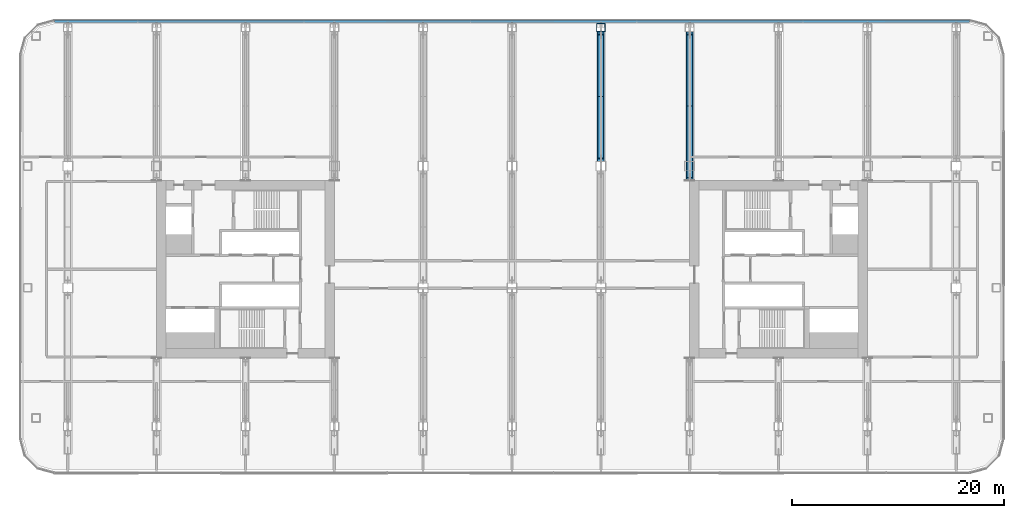
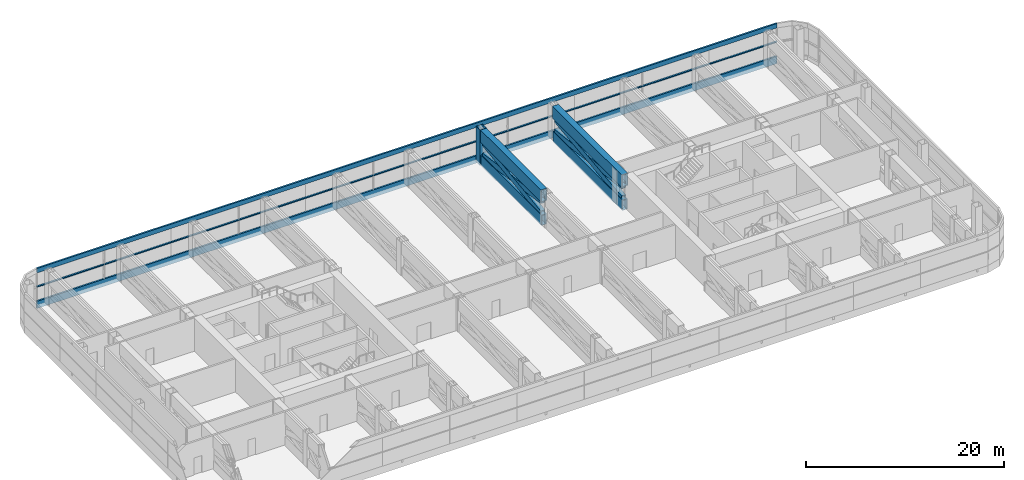
# One storey, part 11 of 31: 12 members, 1 element without a shape of its own.
"""IFC4 building model written with IfcOpenShell, lengths in metres."""

from ifc_helpers import new_model, si_unit, direction, frame, origin, origin_2d, place, context, subcontext, project, spatial, rectangle, hollow_rectangle, extrude, material, layer, layer_set, material_profile, profile_set, type_object, element, aggregate, save


model = new_model("IFC4")

# Units and contexts
model_context = context("Model", 3, precision=1e-05, world=origin(), true_north=direction((0.0, 1.0)))
body_context = subcontext(model_context, "Body", "Model", "MODEL_VIEW")
ifc_project = project(units=[si_unit("LENGTHUNIT", "METRE"), si_unit("AREAUNIT", "SQUARE_METRE"), si_unit("VOLUMEUNIT", "CUBIC_METRE"), si_unit("PLANEANGLEUNIT", "RADIAN"), si_unit("MASSUNIT", "GRAM", prefix="KILO")], contexts=[model_context])

# Site, building, storey
site_placement = place(None, origin())
site = spatial("IfcSite", under=ifc_project, at=site_placement, CompositionType="ELEMENT")
building_placement = place(site_placement, origin())
building = spatial("IfcBuilding", under=site, at=building_placement, Name="Hakoniwa Tower and Hamabe Station Hall", CompositionType="ELEMENT")
storey_placement = place(building_placement, frame((0.0, 0.0, 120.199951171875)))
storey = spatial("IfcBuildingStorey", under=building, at=storey_placement, Name="L34", CompositionType="ELEMENT", Elevation=120.199951171875)

# Curtain wall, members
ifc_material_1 = material(Name="Dark low-e laminated glass", Category="glass")
ifc_layer = layer(ifc_material_1, 0.199951171875)
ifc_layer_set = layer_set([ifc_layer], Name="CW-6 PLANT LOUVRE")
curtain_wall_type = type_object("IfcCurtainWallType", Name="CW-6 PLANT LOUVRE", PredefinedType="NOTDEFINED", material=ifc_layer_set)
curtain_wall_placement = place(storey_placement, origin())
curtain_wall = element("IfcCurtainWall", 1, at=curtain_wall_placement, inside=storey, type_object=curtain_wall_type, Name="CW-6 curtain wall", PredefinedType="NOTDEFINED")
ifc_material_2 = material(Name="Aluminium 6063-T5 black anodised", Category="aluminium")
ifc_material_profile_1 = material_profile(ifc_material_2, rectangle(XDim=0.199951171875, YDim=0.550048828125, at=origin_2d()), Name="CW HEAD BAND 550X200")
ifc_profile_set_1 = profile_set([ifc_material_profile_1], Name="Aluminium 6063-T5 black anodised")
member_type_1 = type_object("IfcMemberType", Name="CW HEAD BAND 550X200", PredefinedType="USERDEFINED", material=ifc_profile_set_1)
member_1_placement = place(storey_placement, frame((43.239501953125, 23.449951171875, 4.125), z_axis=(-1.0, 0.0, 0.0), x_axis=(0.0, -1.0, 0.0)))
member_1 = element("IfcMember", 2, at=member_1_placement, type_object=member_type_1, Name="CW-6 transom", ObjectType="TRANSOM", PredefinedType="USERDEFINED", context=body_context, shape_type="SweptSolid", body=[
    extrude(rectangle(XDim=0.199951171875, YDim=0.550048828125, at=origin_2d()), origin(), (0.0, 0.0, 1.0), 86.47900390625),
])
ifc_material_3 = material(Name="Aluminium 6063-T5 black anodised", Category="aluminium")
ifc_material_profile_2 = material_profile(ifc_material_3, rectangle(XDim=0.199951171875, YDim=0.1201171875, at=origin_2d()), Name="CW MID TRANSOM 120X200")
ifc_profile_set_2 = profile_set([ifc_material_profile_2], Name="Aluminium 6063-T5 black anodised")
member_type_2 = type_object("IfcMemberType", Name="CW MID TRANSOM 120X200", PredefinedType="USERDEFINED", material=ifc_profile_set_2)
member_2_placement = place(storey_placement, frame((43.239501953125, 23.449951171875, 2.10009765625), z_axis=(-1.0, 0.0, 0.0), x_axis=(0.0, -1.0, 0.0)))
member_2 = element("IfcMember", 3, at=member_2_placement, type_object=member_type_2, Name="CW-6 transom", ObjectType="TRANSOM", PredefinedType="USERDEFINED", context=body_context, shape_type="SweptSolid", body=[
    extrude(rectangle(XDim=0.199951171875, YDim=0.1201171875, at=origin_2d()), origin(), (0.0, 0.0, 1.0), 86.47900390625),
])
ifc_material_4 = material(Name="Aluminium 6063-T5 black anodised", Category="aluminium")
ifc_material_profile_3 = material_profile(ifc_material_4, rectangle(XDim=0.199951171875, YDim=0.89990234375, at=origin_2d()), Name="CW SLAB-EDGE BAND 900X200")
ifc_profile_set_3 = profile_set([ifc_material_profile_3], Name="Aluminium 6063-T5 black anodised")
member_type_3 = type_object("IfcMemberType", Name="CW SLAB-EDGE BAND 900X200", PredefinedType="USERDEFINED", material=ifc_profile_set_3)
member_3_placement = place(storey_placement, frame((43.239501953125, 23.449951171875, -0.099853515625), z_axis=(-1.0, 0.0, 0.0), x_axis=(0.0, -1.0, 0.0)))
member_3 = element("IfcMember", 4, at=member_3_placement, type_object=member_type_3, Name="CW-6 transom", ObjectType="TRANSOM", PredefinedType="USERDEFINED", context=body_context, shape_type="SweptSolid", body=[
    extrude(rectangle(XDim=0.199951171875, YDim=0.89990234375, at=origin_2d()), origin(), (0.0, 0.0, 1.0), 86.47900390625),
])
aggregate(curtain_wall, [member_3, member_2, member_1])

# Members
ifc_material_5 = material(Name="Steel SN490C", Category="steel")
ifc_material_profile_4 = material_profile(ifc_material_5, hollow_rectangle(XDim=0.60009765625, YDim=1.300048828125, WallThickness=0.050048828125, at=origin_2d()), Name="BX-1300x600x50")
ifc_profile_set_4 = profile_set([ifc_material_profile_4], Name="Steel SN490C")
member_type_4 = type_object("IfcMemberType", Name="TRUSS CHORD BX-1300x600x50", PredefinedType="CHORD", material=ifc_profile_set_4)
member_4_placement = place(storey_placement, frame((8.39990234375, 10.199951171875, 0.35009765625), z_axis=(0.0, 1.0, 0.0), x_axis=(-1.0, 0.0, 0.0)))
element("IfcMember", 5, at=member_4_placement, inside=storey, type_object=member_type_4, Name="Truss T2-13-BC03", PredefinedType="CHORD", context=body_context, shape_type="SweptSolid", body=[
    extrude(hollow_rectangle(XDim=0.60009765625, YDim=1.300048828125, WallThickness=0.050048828125, at=origin_2d()), origin(), (0.0, 0.0, 1.0), 12.25),
])
member_5_placement = place(storey_placement, frame((16.800048828125, 8.39990234375, 0.35009765625), z_axis=(0.0, 1.0, 0.0), x_axis=(-1.0, 0.0, 0.0)))
element("IfcMember", 6, at=member_5_placement, inside=storey, type_object=member_type_4, Name="Truss T2-15-BC01", PredefinedType="CHORD", context=body_context, shape_type="SweptSolid", body=[
    extrude(hollow_rectangle(XDim=0.60009765625, YDim=1.300048828125, WallThickness=0.050048828125, at=origin_2d()), origin(), (0.0, 0.0, 1.0), 14.050048828125),
])
ifc_material_6 = material(Name="Steel SN490C", Category="steel")
ifc_material_profile_5 = material_profile(ifc_material_6, hollow_rectangle(XDim=0.699951171875, YDim=1.5, WallThickness=0.054931640625, at=origin_2d()), Name="BX-1500x700x55")
ifc_profile_set_5 = profile_set([ifc_material_profile_5], Name="Steel SN490C")
member_type_5 = type_object("IfcMemberType", Name="TRUSS CHORD BX-1500x700x55", PredefinedType="CHORD", material=ifc_profile_set_5)
member_6_placement = place(storey_placement, frame((8.39990234375, 10.199951171875, 3.35009765625), z_axis=(0.0, 1.0, 0.0), x_axis=(-1.0, 0.0, 0.0)))
element("IfcMember", 7, at=member_6_placement, inside=storey, type_object=member_type_5, Name="Truss T2-13-TC03", PredefinedType="CHORD", context=body_context, shape_type="SweptSolid", body=[
    extrude(hollow_rectangle(XDim=0.699951171875, YDim=1.5, WallThickness=0.054931640625, at=origin_2d()), origin(), (0.0, 0.0, 1.0), 12.25),
])
member_7_placement = place(storey_placement, frame((16.800048828125, 8.39990234375, 3.35009765625), z_axis=(0.0, 1.0, 0.0), x_axis=(-1.0, 0.0, 0.0)))
element("IfcMember", 8, at=member_7_placement, inside=storey, type_object=member_type_5, Name="Truss T2-15-TC01", PredefinedType="CHORD", context=body_context, shape_type="SweptSolid", body=[
    extrude(hollow_rectangle(XDim=0.699951171875, YDim=1.5, WallThickness=0.054931640625, at=origin_2d()), origin(), (0.0, 0.0, 1.0), 14.050048828125),
])
ifc_material_7 = material(Name="Steel SN490C", Category="steel")
ifc_material_profile_6 = material_profile(ifc_material_7, hollow_rectangle(XDim=0.5, YDim=0.699951171875, WallThickness=0.031982421875, at=origin_2d()), Name="BX-700x500x32")
ifc_profile_set_6 = profile_set([ifc_material_profile_6], Name="Steel SN490C")
member_type_6 = type_object("IfcMemberType", Name="TRUSS DIAGONAL BX-700x500x32", PredefinedType="BRACE", material=ifc_profile_set_6)
for number, where, z_axis, x_axis, name in (
    (9, (8.39990234375, 10.449951171875, 1.0), (0.0, 0.99085470683, 0.134933131411), (-1.0, 0.0, 0.0), "Truss T2-13-D03a"),
    (10, (8.39990234375, 10.449951171875, 2.60009765625), (0.0, 0.99085470683, -0.134933131411), (-1.0, 0.0, 0.0), "Truss T2-13-D03b"),
):
    element("IfcMember", number, at=place(storey_placement, frame(where, z_axis=z_axis, x_axis=x_axis)), inside=storey, type_object=member_type_6, Name=name, PredefinedType="BRACE", context=body_context, shape_type="SweptSolid", body=[
        extrude(hollow_rectangle(XDim=0.5, YDim=0.699951171875, WallThickness=0.031982421875, at=origin_2d()), origin(), (0.0, 0.0, 1.0), 11.8583984375),
    ])
for number, where, z_axis, x_axis, name in (
    (11, (16.800048828125, 8.64990234375, 1.0), (0.0, 0.993099700587, 0.117273120082), (-1.0, 0.0, 0.0), "Truss T2-15-D01a"),
    (12, (16.800048828125, 8.64990234375, 2.60009765625), (0.0, 0.993099700587, -0.117273120082), (-1.0, 0.0, 0.0), "Truss T2-15-D01b"),
):
    element("IfcMember", number, at=place(storey_placement, frame(where, z_axis=z_axis, x_axis=x_axis)), inside=storey, type_object=member_type_6, Name=name, PredefinedType="BRACE", context=body_context, shape_type="SweptSolid", body=[
        extrude(hollow_rectangle(XDim=0.5, YDim=0.699951171875, WallThickness=0.031982421875, at=origin_2d()), origin(), (0.0, 0.0, 1.0), 13.644287109375),
    ])
ifc_material_8 = material(Name="Steel SN490C", Category="steel")
ifc_material_profile_7 = material_profile(ifc_material_8, hollow_rectangle(XDim=0.800048828125, YDim=0.800048828125, WallThickness=0.031982421875, at=origin_2d()), Name="BX-800x800x32")
ifc_profile_set_7 = profile_set([ifc_material_profile_7], Name="Steel SN490C")
member_type_7 = type_object("IfcMemberType", Name="TRUSS POST BX-800x800x32", PredefinedType="POST", material=ifc_profile_set_7)
member_8_placement = place(storey_placement, frame((8.39990234375, 22.85009765625, -0.300048828125), z_axis=(0.0, 0.0, 1.0), x_axis=(1.0, 0.0, 0.0)))
element("IfcMember", 13, at=member_8_placement, inside=storey, type_object=member_type_7, Name="Truss T2-13-P04", PredefinedType="POST", context=body_context, shape_type="SweptSolid", body=[
    extrude(hollow_rectangle(XDim=0.800048828125, YDim=0.800048828125, WallThickness=0.031982421875, at=origin_2d()), origin(), (0.0, 0.0, 1.0), 4.400146484375),
])

save(model, "model.ifc")
